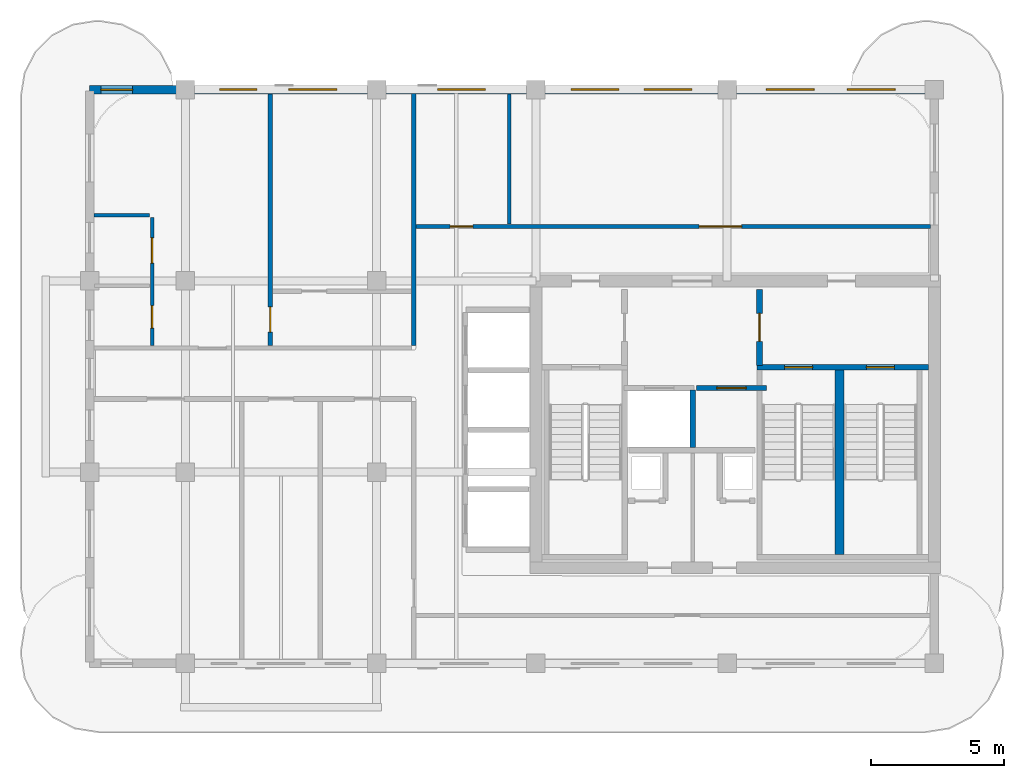
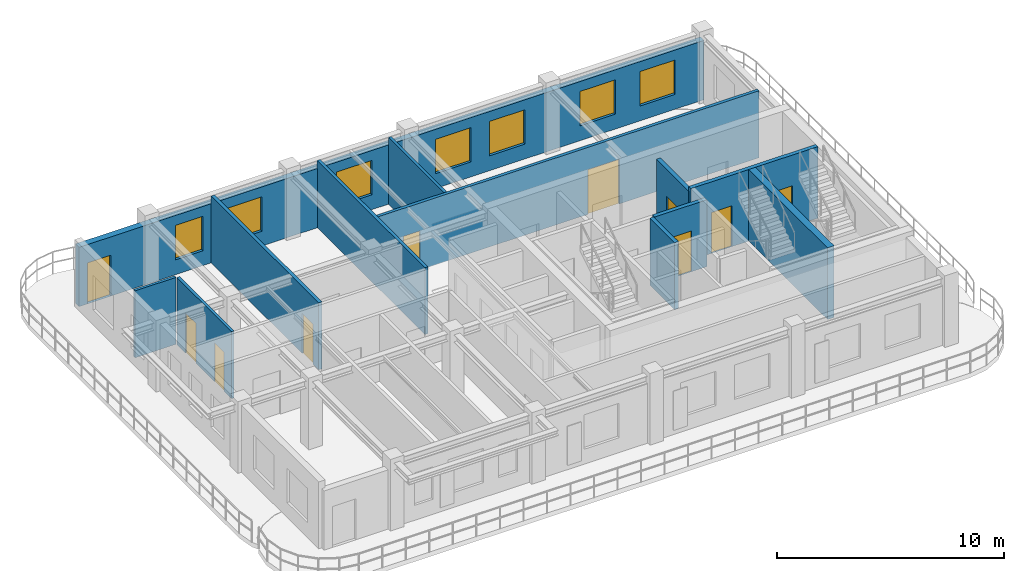
# One storey, part 4 of 7: 12 walls, 10 doors, 7 windows, 17 openings.
"""IFC4 building model written with IfcOpenShell, lengths in metres."""

from ifc_helpers import new_model, si_unit, derived_unit, direction, frame, frame_2d, origin, place, context, subcontext, project, spatial, rectangle, extrude, source, transform, mapped, material, layer, layer_set, type_object, type_shapes, element, fill, save


model = new_model("IFC4")

# Units and contexts
model_context = context("Model", 3, precision=1e-05, world=origin(), true_north=direction((0.0, 1.0)))
body_context = subcontext(model_context, "Body", "Model", "MODEL_VIEW")
ifc_project = project(units=[si_unit("LENGTHUNIT", "METRE"), si_unit("AREAUNIT", "SQUARE_METRE"), si_unit("VOLUMEUNIT", "CUBIC_METRE"), si_unit("PLANEANGLEUNIT", "RADIAN"), si_unit("MASSUNIT", "GRAM", prefix="KILO"), si_unit("THERMODYNAMICTEMPERATUREUNIT", "KELVIN"), si_unit("POWERUNIT", "WATT"), derived_unit("THERMALTRANSMITTANCEUNIT", [(si_unit("POWERUNIT", "WATT"), 1), (si_unit("AREAUNIT", "SQUARE_METRE"), -1), (si_unit("THERMODYNAMICTEMPERATUREUNIT", "KELVIN"), -1)])], contexts=[model_context])

# Site, building, storey
site_placement = place(None, origin())
site = spatial("IfcSite", under=ifc_project, at=site_placement, CompositionType="ELEMENT")
building_placement = place(site_placement, origin())
building = spatial("IfcBuilding", under=site, at=building_placement, Name="Zahravan Archway Hotel and Residences", CompositionType="ELEMENT")
storey_placement = place(building_placement, frame((0.0, 0.0, 278.89990234375)))
storey = spatial("IfcBuildingStorey", under=building, at=storey_placement, Name="L70", CompositionType="ELEMENT", Elevation=278.89990234375)

# Wall, openings, door, windows
ifc_material_1 = material(Name="Agra Buff Sandstone & Insulated Backup", Category="masonry")
ifc_layer_1 = layer(ifc_material_1, 0.320068359375, Name="Agra Buff Sandstone & Insulated Backup", Category="masonry")
ifc_layer_set_1 = layer_set([ifc_layer_1], Name="Agra Buff Sandstone & Insulated Backup")
wall_type_1 = type_object("IfcWallType", Name="EW-SAND-320", PredefinedType="SOLIDWALL", material=ifc_layer_set_1)
wall_1_placement = place(storey_placement, frame((18.0, 21.60009765625, 0.0), z_axis=(0.0, 0.0, 1.0), x_axis=(1.0, 0.0, 0.0)))
wall_1 = element("IfcWall", 1, at=wall_1_placement, inside=storey, type_object=wall_type_1, Name="L70 Exterior Sandstone Wall WA-N", PredefinedType="SOLIDWALL", context=body_context, shape_type="SweptSolid", body=[
    extrude(rectangle(XDim=31.800048828125, YDim=0.320068359375, at=frame_2d((15.89990234375, 0.0))), origin(), (0.0, 0.0, 1.0), 3.18505859375),
])
opening_1_placement = place(wall_1_placement, frame((0.419921875, 0.0, 0.0)))
opening_1 = element("IfcOpeningElement", 2, at=opening_1_placement, cuts=wall_1, Name="Opening ED-BL1", PredefinedType="OPENING", context=body_context, shape_type="SweptSolid", body=[
    extrude(rectangle(XDim=1.199951171875, YDim=2.199951171875, at=frame_2d((0.60009765625, 1.10009765625))), frame((0.0, 0.169921875, 0.0), z_axis=(0.0, -1.0, 0.0), x_axis=(1.0, 0.0, 0.0)), (0.0, 0.0, 1.0), 0.340087890625),
])
opening_2_placement = place(wall_1_placement, frame((4.89599609375, 0.0, 0.800048828125)))
opening_2 = element("IfcOpeningElement", 3, at=opening_2_placement, cuts=wall_1, Name="Opening W-03", PredefinedType="OPENING", context=body_context, shape_type="SweptSolid", body=[
    extrude(rectangle(XDim=1.39990234375, YDim=1.85009765625, at=frame_2d((0.699951171875, 0.925048828125))), frame((0.0, 0.169921875, 0.0), z_axis=(0.0, -1.0, 0.0), x_axis=(1.0, 0.0, 0.0)), (0.0, 0.0, 1.0), 0.340087890625),
])
opening_3_placement = place(wall_1_placement, frame((7.50390625, 0.0, 0.800048828125)))
opening_3 = element("IfcOpeningElement", 4, at=opening_3_placement, cuts=wall_1, Name="Opening W-02", PredefinedType="OPENING", context=body_context, shape_type="SweptSolid", body=[
    extrude(rectangle(XDim=1.800048828125, YDim=1.85009765625, at=frame_2d((0.89990234375, 0.925048828125))), frame((0.0, 0.169921875, 0.0), z_axis=(0.0, -1.0, 0.0), x_axis=(1.0, 0.0, 0.0)), (0.0, 0.0, 1.0), 0.340087890625),
])
opening_4_placement = place(wall_1_placement, frame((13.10107421875, 0.0, 0.800048828125)))
opening_4 = element("IfcOpeningElement", 5, at=opening_4_placement, cuts=wall_1, Name="Opening W-02", PredefinedType="OPENING", context=body_context, shape_type="SweptSolid", body=[
    extrude(rectangle(XDim=1.800048828125, YDim=1.85009765625, at=frame_2d((0.89990234375, 0.925048828125))), frame((0.0, 0.169921875, 0.0), z_axis=(0.0, -1.0, 0.0), x_axis=(1.0, 0.0, 0.0)), (0.0, 0.0, 1.0), 0.340087890625),
])
opening_5_placement = place(wall_1_placement, frame((18.125, 0.0, 0.800048828125)))
opening_5 = element("IfcOpeningElement", 6, at=opening_5_placement, cuts=wall_1, Name="Opening W-02", PredefinedType="OPENING", context=body_context, shape_type="SweptSolid", body=[
    extrude(rectangle(XDim=1.800048828125, YDim=1.85009765625, at=frame_2d((0.89990234375, 0.925048828125))), frame((0.0, 0.169921875, 0.0), z_axis=(0.0, -1.0, 0.0), x_axis=(1.0, 0.0, 0.0)), (0.0, 0.0, 1.0), 0.340087890625),
])
opening_6_placement = place(wall_1_placement, frame((20.875, 0.0, 0.800048828125)))
opening_6 = element("IfcOpeningElement", 7, at=opening_6_placement, cuts=wall_1, Name="Opening W-02", PredefinedType="OPENING", context=body_context, shape_type="SweptSolid", body=[
    extrude(rectangle(XDim=1.800048828125, YDim=1.85009765625, at=frame_2d((0.89990234375, 0.925048828125))), frame((0.0, 0.169921875, 0.0), z_axis=(0.0, -1.0, 0.0), x_axis=(1.0, 0.0, 0.0)), (0.0, 0.0, 1.0), 0.340087890625),
])
opening_7_placement = place(wall_1_placement, frame((25.47509765625, 0.0, 0.800048828125)))
opening_7 = element("IfcOpeningElement", 8, at=opening_7_placement, cuts=wall_1, Name="Opening W-02", PredefinedType="OPENING", context=body_context, shape_type="SweptSolid", body=[
    extrude(rectangle(XDim=1.800048828125, YDim=1.85009765625, at=frame_2d((0.89990234375, 0.925048828125))), frame((0.0, 0.169921875, 0.0), z_axis=(0.0, -1.0, 0.0), x_axis=(1.0, 0.0, 0.0)), (0.0, 0.0, 1.0), 0.340087890625),
])
opening_8_placement = place(wall_1_placement, frame((28.52490234375, 0.0, 0.800048828125)))
opening_8 = element("IfcOpeningElement", 9, at=opening_8_placement, cuts=wall_1, Name="Opening W-02", PredefinedType="OPENING", context=body_context, shape_type="SweptSolid", body=[
    extrude(rectangle(XDim=1.800048828125, YDim=1.85009765625, at=frame_2d((0.89990234375, 0.925048828125))), frame((0.0, 0.169921875, 0.0), z_axis=(0.0, -1.0, 0.0), x_axis=(1.0, 0.0, 0.0)), (0.0, 0.0, 1.0), 0.340087890625),
])
ifc_material_2 = material(Name="Bronze-Anodized Glazed Aluminium", Category="aluminium")
door_type_1 = type_object("IfcDoorType", Name="ED-BALC-1200", OperationType="SLIDING_TO_LEFT", PredefinedType="DOOR", material=ifc_material_2)
shared_shape_1 = source(origin(), body_context, "Body", "SweptSolid", [
    extrude(rectangle(XDim=1.199951171875, YDim=2.199951171875, at=frame_2d((0.60009765625, 1.10009765625))), frame((0.0, 0.02490234375, 0.0), z_axis=(0.0, -1.0, 0.0), x_axis=(1.0, 0.0, 0.0)), (0.0, 0.0, 1.0), 0.050048828125),
])
type_shapes(door_type_1, [shared_shape_1])
door_1_placement = place(opening_1_placement, origin())
door_1 = element("IfcDoor", 10, at=door_1_placement, inside=storey, type_object=door_type_1, Name="L70 Outdoor Access Sliding Door (SLB-BAL-L70-WA)", OperationType="SLIDING_TO_LEFT", OverallHeight=2.199951171875, OverallWidth=1.199951171875, PredefinedType="DOOR", context=body_context, shape_type="MappedRepresentation", body=[
    mapped(shared_shape_1, transform((0.0, 0.0, 0.0), scale=1.0)),
])
fill(opening_1, door_1)
ifc_material_3 = material(Name="Bronze-Anodized Thermal-Break Aluminium & Low-E Glass", Category="aluminium")
window_type_1 = type_object("IfcWindowType", Name="WIN-TWR-1400", PartitioningType="SINGLE_PANEL", PredefinedType="WINDOW", material=ifc_material_3)
shared_shape_2 = source(origin(), body_context, "Body", "SweptSolid", [
    extrude(rectangle(XDim=1.39990234375, YDim=1.85009765625, at=frame_2d((0.699951171875, 0.925048828125))), frame((0.0, 0.030029296875, 0.0), z_axis=(0.0, -1.0, 0.0), x_axis=(1.0, 0.0, 0.0)), (0.0, 0.0, 1.0), 0.06005859375),
])
type_shapes(window_type_1, [shared_shape_2])
window_1_placement = place(opening_2_placement, origin())
window_1 = element("IfcWindow", 11, at=window_1_placement, inside=storey, type_object=window_type_1, Name="L70 Loggia Window 10", OverallHeight=1.85009765625, OverallWidth=1.39990234375, PartitioningType="SINGLE_PANEL", PredefinedType="WINDOW", context=body_context, shape_type="MappedRepresentation", body=[
    mapped(shared_shape_2, transform((0.0, 0.0, 0.0), scale=1.0)),
])
fill(opening_2, window_1)
window_type_2 = type_object("IfcWindowType", Name="WIN-TWR-1800", PartitioningType="DOUBLE_PANEL_VERTICAL", PredefinedType="WINDOW", material=ifc_material_3)
shared_shape_3 = source(origin(), body_context, "Body", "SweptSolid", [
    extrude(rectangle(XDim=1.800048828125, YDim=1.85009765625, at=frame_2d((0.89990234375, 0.925048828125))), frame((0.0, 0.030029296875, 0.0), z_axis=(0.0, -1.0, 0.0), x_axis=(1.0, 0.0, 0.0)), (0.0, 0.0, 1.0), 0.06005859375),
])
type_shapes(window_type_2, [shared_shape_3])
window_2_placement = place(opening_3_placement, origin())
window_2 = element("IfcWindow", 12, at=window_2_placement, inside=storey, type_object=window_type_2, Name="L70 Loggia Window 11", OverallHeight=1.85009765625, OverallWidth=1.800048828125, PartitioningType="DOUBLE_PANEL_VERTICAL", PredefinedType="WINDOW", context=body_context, shape_type="MappedRepresentation", body=[
    mapped(shared_shape_3, transform((0.0, 0.0, 0.0), scale=1.0)),
])
fill(opening_3, window_2)
window_3_placement = place(opening_4_placement, origin())
window_3 = element("IfcWindow", 13, at=window_3_placement, inside=storey, type_object=window_type_2, Name="L70 Loggia Window 12", OverallHeight=1.85009765625, OverallWidth=1.800048828125, PartitioningType="DOUBLE_PANEL_VERTICAL", PredefinedType="WINDOW", context=body_context, shape_type="MappedRepresentation", body=[
    mapped(shared_shape_3, transform((0.0, 0.0, 0.0), scale=1.0)),
])
fill(opening_4, window_3)
window_4_placement = place(opening_5_placement, origin())
window_4 = element("IfcWindow", 14, at=window_4_placement, inside=storey, type_object=window_type_2, Name="L70 Loggia Window 13", OverallHeight=1.85009765625, OverallWidth=1.800048828125, PartitioningType="DOUBLE_PANEL_VERTICAL", PredefinedType="WINDOW", context=body_context, shape_type="MappedRepresentation", body=[
    mapped(shared_shape_3, transform((0.0, 0.0, 0.0), scale=1.0)),
])
fill(opening_5, window_4)
window_5_placement = place(opening_6_placement, origin())
window_5 = element("IfcWindow", 15, at=window_5_placement, inside=storey, type_object=window_type_2, Name="L70 Loggia Window 14", OverallHeight=1.85009765625, OverallWidth=1.800048828125, PartitioningType="DOUBLE_PANEL_VERTICAL", PredefinedType="WINDOW", context=body_context, shape_type="MappedRepresentation", body=[
    mapped(shared_shape_3, transform((0.0, 0.0, 0.0), scale=1.0)),
])
fill(opening_6, window_5)
window_6_placement = place(opening_7_placement, origin())
window_6 = element("IfcWindow", 16, at=window_6_placement, inside=storey, type_object=window_type_2, Name="L70 Loggia Window 15", OverallHeight=1.85009765625, OverallWidth=1.800048828125, PartitioningType="DOUBLE_PANEL_VERTICAL", PredefinedType="WINDOW", context=body_context, shape_type="MappedRepresentation", body=[
    mapped(shared_shape_3, transform((0.0, 0.0, 0.0), scale=1.0)),
])
fill(opening_7, window_6)
window_7_placement = place(opening_8_placement, origin())
window_7 = element("IfcWindow", 17, at=window_7_placement, inside=storey, type_object=window_type_2, Name="L70 Loggia Window 16", OverallHeight=1.85009765625, OverallWidth=1.800048828125, PartitioningType="DOUBLE_PANEL_VERTICAL", PredefinedType="WINDOW", context=body_context, shape_type="MappedRepresentation", body=[
    mapped(shared_shape_3, transform((0.0, 0.0, 0.0), scale=1.0)),
])
fill(opening_8, window_7)

# Wall, opening, door
ifc_material_4 = material(Name="Fire-Rated Gypsum & Concrete Block", Category="concrete")
ifc_layer_2 = layer(ifc_material_4, 0.219970703125, Name="Fire-Rated Gypsum & Concrete Block", Category="concrete")
ifc_layer_set_2 = layer_set([ifc_layer_2], Name="Fire-Rated Gypsum & Concrete Block")
wall_type_2 = type_object("IfcWallType", Name="PW-COMP-220", PredefinedType="PARTITIONING", material=ifc_layer_set_2)
wall_2_placement = place(storey_placement, frame((43.219970703125, 11.219970703125, 0.0), z_axis=(0.0, 0.0, 1.0), x_axis=(0.0, 1.0, 0.0)))
wall_2 = element("IfcWall", 18, at=wall_2_placement, inside=storey, type_object=wall_type_2, Name="L70 Partition CA-LOBE", PredefinedType="PARTITIONING", context=body_context, shape_type="SweptSolid", body=[
    extrude(rectangle(XDim=2.860107421875, YDim=0.219970703125, at=frame_2d((1.43017578125, 0.0))), origin(), (0.0, 0.0, 1.0), 3.60009765625),
])
opening_9_placement = place(wall_2_placement, frame((0.905029296875, 0.0, 0.0)))
opening_9 = element("IfcOpeningElement", 19, at=opening_9_placement, cuts=wall_2, Name="Opening FD-L2", PredefinedType="OPENING", context=body_context, shape_type="SweptSolid", body=[
    extrude(rectangle(XDim=1.050048828125, YDim=2.14990234375, at=frame_2d((0.52490234375, 1.074951171875))), frame((0.0, 0.1201171875, 0.0), z_axis=(0.0, -1.0, 0.0), x_axis=(1.0, 0.0, 0.0)), (0.0, 0.0, 1.0), 0.239990234375),
])
ifc_material_5 = material(Name="Fire-Rated Painted Steel", Category="steel")
door_type_2 = type_object("IfcDoorType", Name="FD-LOBBY-1100", OperationType="NOTDEFINED", PredefinedType="DOOR", material=ifc_material_5)
shared_shape_4 = source(origin(), body_context, "Body", "SweptSolid", [
    extrude(rectangle(XDim=1.050048828125, YDim=2.14990234375, at=frame_2d((0.52490234375, 1.074951171875))), frame((0.0, 0.02490234375, 0.0), z_axis=(0.0, -1.0, 0.0), x_axis=(1.0, 0.0, 0.0)), (0.0, 0.0, 1.0), 0.050048828125),
])
type_shapes(door_type_2, [shared_shape_4])
door_2_placement = place(opening_9_placement, origin())
door_2 = element("IfcDoor", 20, at=door_2_placement, inside=storey, type_object=door_type_2, Name="L70 Core A East Stair to FSAE Lobby Door", OperationType="SINGLE_SWING_LEFT", OverallHeight=2.14990234375, OverallWidth=1.050048828125, PredefinedType="DOOR", context=body_context, shape_type="MappedRepresentation", body=[
    mapped(shared_shape_4, transform((0.0, 0.0, 0.0), scale=1.0)),
])
fill(opening_9, door_2)

# Wall
ifc_layer_3 = layer(ifc_material_4, 0.159912109375, Name="Fire-Rated Gypsum & Concrete Block", Category="concrete")
ifc_layer_set_3 = layer_set([ifc_layer_3], Name="Fire-Rated Gypsum & Concrete Block")
wall_type_3 = type_object("IfcWallType", Name="PW-CORR-160", PredefinedType="PARTITIONING", material=ifc_layer_set_3)
wall_3_placement = place(storey_placement, frame((30.199951171875, 11.9599609375, 0.0), z_axis=(0.0, 0.0, 1.0), x_axis=(0.0, 1.0, 0.0)))
element("IfcWall", 21, at=wall_3_placement, inside=storey, type_object=wall_type_3, Name="L70 Partition WA-FW", PredefinedType="PARTITIONING", context=body_context, shape_type="SweptSolid", body=[
    extrude(rectangle(XDim=9.5, YDim=0.159912109375, at=frame_2d((4.75, 0.0))), origin(), (0.0, 0.0, 1.0), 3.60009765625),
])

# Wall, openings, doors
wall_4_placement = place(storey_placement, frame((30.2900390625, 16.449951171875, 0.0), z_axis=(0.0, 0.0, 1.0), x_axis=(1.0, 0.0, 0.0)))
wall_4 = element("IfcWall", 22, at=wall_4_placement, inside=storey, type_object=wall_type_3, Name="L70 Partition WA-FN", PredefinedType="PARTITIONING", context=body_context, shape_type="SweptSolid", body=[
    extrude(rectangle(XDim=19.369873046875, YDim=0.159912109375, at=frame_2d((9.68505859375, 0.0))), origin(), (0.0, 0.0, 1.0), 3.60009765625),
])
opening_10_placement = place(wall_4_placement, frame((1.284912109375, 0.0, 0.0)))
opening_10 = element("IfcOpeningElement", 23, at=opening_10_placement, cuts=wall_4, Name="Opening D-B1", PredefinedType="OPENING", context=body_context, shape_type="SweptSolid", body=[
    extrude(rectangle(XDim=0.85009765625, YDim=2.10009765625, at=frame_2d((0.425048828125, 1.050048828125))), frame((0.0, 0.08984375, 0.0), z_axis=(0.0, -1.0, 0.0), x_axis=(1.0, 0.0, 0.0)), (0.0, 0.0, 1.0), 0.179931640625),
])
opening_11_placement = place(wall_4_placement, frame((10.659912109375, 0.0, 0.0)))
opening_11 = element("IfcOpeningElement", 24, at=opening_11_placement, cuts=wall_4, Name="Opening D-P2", PredefinedType="OPENING", context=body_context, shape_type="SweptSolid", body=[
    extrude(rectangle(XDim=1.60009765625, YDim=2.39990234375, at=frame_2d((0.800048828125, 1.199951171875))), frame((0.0, 0.08984375, 0.0), z_axis=(0.0, -1.0, 0.0), x_axis=(1.0, 0.0, 0.0)), (0.0, 0.0, 1.0), 0.179931640625),
])
door_type_3 = type_object("IfcDoorType", Name="ID-PUBLIC-1600", OperationType="DOUBLE_DOOR_SINGLE_SWING", PredefinedType="DOOR", material=ifc_material_2)
shared_shape_5 = source(origin(), body_context, "Body", "SweptSolid", [
    extrude(rectangle(XDim=1.60009765625, YDim=2.39990234375, at=frame_2d((0.800048828125, 1.199951171875))), frame((0.0, 0.02490234375, 0.0), z_axis=(0.0, -1.0, 0.0), x_axis=(1.0, 0.0, 0.0)), (0.0, 0.0, 1.0), 0.050048828125),
])
type_shapes(door_type_3, [shared_shape_5])
door_3_placement = place(opening_11_placement, origin())
door_3 = element("IfcDoor", 25, at=door_3_placement, inside=storey, type_object=door_type_3, Name="L70 North Fitness Gym Door", OperationType="DOUBLE_DOOR_SINGLE_SWING", OverallHeight=2.39990234375, OverallWidth=1.60009765625, PredefinedType="DOOR", context=body_context, shape_type="MappedRepresentation", body=[
    mapped(shared_shape_5, transform((0.0, 0.0, 0.0), scale=1.0)),
])
fill(opening_11, door_3)
ifc_material_6 = material(Name="Hardwood Veneer Timber", Category="wood")
door_type_4 = type_object("IfcDoorType", Name="ID-BATH-850", OperationType="NOTDEFINED", PredefinedType="DOOR", material=ifc_material_6)
shared_shape_6 = source(origin(), body_context, "Body", "SweptSolid", [
    extrude(rectangle(XDim=0.85009765625, YDim=2.10009765625, at=frame_2d((0.425048828125, 1.050048828125))), frame((0.0, 0.02490234375, 0.0), z_axis=(0.0, -1.0, 0.0), x_axis=(1.0, 0.0, 0.0)), (0.0, 0.0, 1.0), 0.050048828125),
])
type_shapes(door_type_4, [shared_shape_6])
door_4_placement = place(opening_10_placement, origin())
door_4 = element("IfcDoor", 26, at=door_4_placement, inside=storey, type_object=door_type_4, Name="L70 Accessible Restroom Door", OperationType="SINGLE_SWING_RIGHT", OverallHeight=2.10009765625, OverallWidth=0.85009765625, PredefinedType="DOOR", context=body_context, shape_type="MappedRepresentation", body=[
    mapped(shared_shape_6, transform((0.0, 0.0, 0.0), scale=1.0)),
])
fill(opening_10, door_4)

# Wall
ifc_layer_4 = layer(ifc_material_4, 0.199951171875, Name="Fire-Rated Gypsum & Concrete Block", Category="concrete")
ifc_layer_set_4 = layer_set([ifc_layer_4], Name="Fire-Rated Gypsum & Concrete Block")
wall_type_4 = type_object("IfcWallType", Name="PW-SHAFT-200", PredefinedType="PARTITIONING", material=ifc_layer_set_4)
wall_5_placement = place(storey_placement, frame((40.699951171875, 8.1201171875, 0.0), z_axis=(0.0, 0.0, 1.0), x_axis=(0.0, 1.0, 0.0)))
element("IfcWall", 27, at=wall_5_placement, inside=storey, type_object=wall_type_4, Name="L70 Partition CA-FLM", PredefinedType="PARTITIONING", context=body_context, shape_type="SweptSolid", body=[
    extrude(rectangle(XDim=2.179931640625, YDim=0.199951171875, at=frame_2d((1.08984375, 0.0))), origin(), (0.0, 0.0, 1.0), 3.60009765625),
])

# Wall, opening, door
wall_6_placement = place(storey_placement, frame((40.840087890625, 10.3701171875, 0.0), z_axis=(0.0, 0.0, 1.0), x_axis=(1.0, 0.0, 0.0)))
wall_6 = element("IfcWall", 28, at=wall_6_placement, inside=storey, type_object=wall_type_4, Name="L70 Lift FL-2 Front Wall", PredefinedType="PARTITIONING", context=body_context, shape_type="SweptSolid", body=[
    extrude(rectangle(XDim=2.639892578125, YDim=0.199951171875, at=frame_2d((1.31982421875, 0.0))), origin(), (0.0, 0.0, 1.0), 3.60009765625),
])
opening_12_placement = place(wall_6_placement, frame((0.77001953125, 0.0, 0.0)))
opening_12 = element("IfcOpeningElement", 29, at=opening_12_placement, cuts=wall_6, Name="Opening LD", PredefinedType="OPENING", context=body_context, shape_type="SweptSolid", body=[
    extrude(rectangle(XDim=1.10009765625, YDim=2.199951171875, at=frame_2d((0.550048828125, 1.10009765625))), frame((0.0, 0.10986328125, 0.0), z_axis=(0.0, -1.0, 0.0), x_axis=(1.0, 0.0, 0.0)), (0.0, 0.0, 1.0), 0.219970703125),
])
ifc_material_7 = material(Name="Brushed Stainless Steel", Category="steel")
door_type_5 = type_object("IfcDoorType", Name="DR-LIFT-LD", OperationType="SLIDING_TO_LEFT", PredefinedType="DOOR", material=ifc_material_7)
shared_shape_7 = source(origin(), body_context, "Body", "SweptSolid", [
    extrude(rectangle(XDim=1.10009765625, YDim=2.199951171875, at=frame_2d((0.550048828125, 1.10009765625))), frame((0.0, 0.02490234375, 0.0), z_axis=(0.0, -1.0, 0.0), x_axis=(1.0, 0.0, 0.0)), (0.0, 0.0, 1.0), 0.050048828125),
])
type_shapes(door_type_5, [shared_shape_7])
door_5_placement = place(opening_12_placement, origin())
door_5 = element("IfcDoor", 30, at=door_5_placement, inside=storey, type_object=door_type_5, Name="L70 Lift FL-2 Sliding Landing Door", OperationType="SLIDING_TO_LEFT", OverallHeight=2.199951171875, OverallWidth=1.10009765625, PredefinedType="DOOR", context=body_context, shape_type="MappedRepresentation", body=[
    mapped(shared_shape_7, transform((0.0, 0.0, 0.0), scale=1.0)),
])
fill(opening_12, door_5)

ifc_material_8 = material(Name="Acoustic Stud Partition")
ifc_layer_5 = layer(ifc_material_8, 0.169921875, Name="Acoustic Stud Partition")
ifc_layer_set_5 = layer_set([ifc_layer_5], Name="Acoustic Stud Partition")
wall_type_5 = type_object("IfcWallType", Name="PW-UNIT-170", PredefinedType="PARTITIONING", material=ifc_layer_set_5)
wall_7_placement = place(storey_placement, frame((24.800048828125, 11.9599609375, 0.0), z_axis=(0.0, 0.0, 1.0), x_axis=(0.0, 1.0, 0.0)))
wall_7 = element("IfcWall", 31, at=wall_7_placement, inside=storey, type_object=wall_type_5, Name="L70 Partition FL-N1-SP", PredefinedType="PARTITIONING", context=body_context, shape_type="SweptSolid", body=[
    extrude(rectangle(XDim=9.471923828125, YDim=0.169921875, at=frame_2d((4.73583984375, 0.0))), origin(), (0.0, 0.0, 1.0), 3.60009765625),
])
opening_13_placement = place(wall_7_placement, frame((0.510009765625, 0.0, 0.0)))
opening_13 = element("IfcOpeningElement", 32, at=opening_13_placement, cuts=wall_7, Name="Opening D-I1", PredefinedType="OPENING", context=body_context, shape_type="SweptSolid", body=[
    extrude(rectangle(XDim=0.949951171875, YDim=2.14990234375, at=frame_2d((0.47509765625, 1.074951171875))), frame((0.0, 0.094970703125, 0.0), z_axis=(0.0, -1.0, 0.0), x_axis=(1.0, 0.0, 0.0)), (0.0, 0.0, 1.0), 0.18994140625),
])
door_type_6 = type_object("IfcDoorType", Name="ID-INT-950", OperationType="NOTDEFINED", PredefinedType="DOOR", material=ifc_material_6)
shared_shape_8 = source(origin(), body_context, "Body", "SweptSolid", [
    extrude(rectangle(XDim=0.949951171875, YDim=2.14990234375, at=frame_2d((0.47509765625, 1.074951171875))), frame((0.0, 0.02490234375, 0.0), z_axis=(0.0, -1.0, 0.0), x_axis=(1.0, 0.0, 0.0)), (0.0, 0.0, 1.0), 0.050048828125),
])
type_shapes(door_type_6, [shared_shape_8])
door_6_placement = place(opening_13_placement, origin())
door_6 = element("IfcDoor", 33, at=door_6_placement, inside=storey, type_object=door_type_6, Name="L70 Flat N1 Bedroom Hall Door", OperationType="SINGLE_SWING_RIGHT", OverallHeight=2.14990234375, OverallWidth=0.949951171875, PredefinedType="DOOR", context=body_context, shape_type="MappedRepresentation", body=[
    mapped(shared_shape_8, transform((0.0, 0.0, 0.0), scale=1.0)),
])
fill(opening_13, door_6)

# Wall
ifc_material_9 = material(Name="Moisture-Resistant Blockwork", Category="masonry")
ifc_layer_6 = layer(ifc_material_9, 0.139892578125, Name="Moisture-Resistant Blockwork", Category="masonry")
ifc_layer_set_6 = layer_set([ifc_layer_6], Name="Moisture-Resistant Blockwork")
wall_type_6 = type_object("IfcWallType", Name="PW-WET-140", PredefinedType="PARTITIONING", material=ifc_layer_set_6)
wall_8_placement = place(storey_placement, frame((33.800048828125, 16.5400390625, 0.0), z_axis=(0.0, 0.0, 1.0), x_axis=(0.0, 1.0, 0.0)))
element("IfcWall", 34, at=wall_8_placement, inside=storey, type_object=wall_type_6, Name="L70 Partition NE1-1", PredefinedType="PARTITIONING", context=body_context, shape_type="SweptSolid", body=[
    extrude(rectangle(XDim=4.891845703125, YDim=0.139892578125, at=frame_2d((2.44580078125, 0.0))), origin(), (0.0, 0.0, 1.0), 3.60009765625),
])

# Wall, openings, doors
wall_9_placement = place(storey_placement, frame((20.35009765625, 11.9599609375, 0.0), z_axis=(0.0, 0.0, 1.0), x_axis=(0.0, 1.0, 0.0)))
wall_9 = element("IfcWall", 35, at=wall_9_placement, inside=storey, type_object=wall_type_6, Name="L70 Partition FL-N1-BV", PredefinedType="PARTITIONING", context=body_context, shape_type="SweptSolid", body=[
    extrude(rectangle(XDim=4.820068359375, YDim=0.139892578125, at=frame_2d((2.41015625, 0.0))), origin(), (0.0, 0.0, 1.0), 3.60009765625),
])
opening_14_placement = place(wall_9_placement, frame((0.659912109375, 0.0, 0.0)))
opening_14 = element("IfcOpeningElement", 36, at=opening_14_placement, cuts=wall_9, Name="Opening D-B1", PredefinedType="OPENING", context=body_context, shape_type="SweptSolid", body=[
    extrude(rectangle(XDim=0.85009765625, YDim=2.10009765625, at=frame_2d((0.425048828125, 1.050048828125))), frame((0.0, 0.080078125, 0.0), z_axis=(0.0, -1.0, 0.0), x_axis=(1.0, 0.0, 0.0)), (0.0, 0.0, 1.0), 0.159912109375),
])
opening_15_placement = place(wall_9_placement, frame((3.110107421875, 0.0, 0.0)))
opening_15 = element("IfcOpeningElement", 37, at=opening_15_placement, cuts=wall_9, Name="Opening D-I1", PredefinedType="OPENING", context=body_context, shape_type="SweptSolid", body=[
    extrude(rectangle(XDim=0.949951171875, YDim=2.14990234375, at=frame_2d((0.47509765625, 1.074951171875))), frame((0.0, 0.080078125, 0.0), z_axis=(0.0, -1.0, 0.0), x_axis=(1.0, 0.0, 0.0)), (0.0, 0.0, 1.0), 0.159912109375),
])
door_7_placement = place(opening_14_placement, origin())
door_7 = element("IfcDoor", 38, at=door_7_placement, inside=storey, type_object=door_type_4, Name="L70 Flat N1 Bathroom Door", OperationType="SINGLE_SWING_LEFT", OverallHeight=2.10009765625, OverallWidth=0.85009765625, PredefinedType="DOOR", context=body_context, shape_type="MappedRepresentation", body=[
    mapped(shared_shape_6, transform((0.0, 0.0, 0.0), scale=1.0)),
])
fill(opening_14, door_7)
door_8_placement = place(opening_15_placement, origin())
door_8 = element("IfcDoor", 39, at=door_8_placement, inside=storey, type_object=door_type_6, Name="L70 Flat N1 Kitchen Door", OperationType="SINGLE_SWING_RIGHT", OverallHeight=2.14990234375, OverallWidth=0.949951171875, PredefinedType="DOOR", context=body_context, shape_type="MappedRepresentation", body=[
    mapped(shared_shape_8, transform((0.0, 0.0, 0.0), scale=1.0)),
])
fill(opening_15, door_8)

# Wall
wall_10_placement = place(storey_placement, frame((18.16796875, 16.8701171875, 0.0), z_axis=(0.0, 0.0, 1.0), x_axis=(1.0, 0.0, 0.0)))
element("IfcWall", 40, at=wall_10_placement, inside=storey, type_object=wall_type_6, Name="L70 Partition FL-N1-KH", PredefinedType="PARTITIONING", context=body_context, shape_type="SweptSolid", body=[
    extrude(rectangle(XDim=2.092041015625, YDim=0.139892578125, at=frame_2d((1.0458984375, 0.0))), origin(), (0.0, 0.0, 1.0), 3.60009765625),
])

# Wall, openings, doors
ifc_material_10 = material(Name="Concrete C50/60", Category="concrete")
ifc_layer_7 = layer(ifc_material_10, 0.199951171875, Name="Concrete C50/60", Category="concrete")
ifc_layer_set_7 = layer_set([ifc_layer_7], Name="Concrete C50/60")
wall_type_7 = type_object("IfcWallType", Name="SW-STAIR-200", PredefinedType="SHEAR", material=ifc_layer_set_7)
wall_11_placement = place(storey_placement, frame((43.1201171875, 11.14990234375, 0.0), z_axis=(0.0, 0.0, 1.0), x_axis=(1.0, 0.0, 0.0)))
wall_11 = element("IfcWall", 41, at=wall_11_placement, inside=storey, type_object=wall_type_7, Name="L70 Stairwell RC Wall CA-SA23N", PredefinedType="SHEAR", context=body_context, shape_type="SweptSolid", body=[
    extrude(rectangle(XDim=6.454833984375, YDim=0.199951171875, at=frame_2d((3.2275390625, 0.0))), origin(), (0.0, 0.0, 1.0), 3.85009765625),
])
opening_16_placement = place(wall_11_placement, frame((1.044921875, 0.0, 0.0)))
opening_16 = element("IfcOpeningElement", 42, at=opening_16_placement, cuts=wall_11, Name="Opening FD-S1", PredefinedType="OPENING", context=body_context, shape_type="SweptSolid", body=[
    extrude(rectangle(XDim=1.050048828125, YDim=2.199951171875, at=frame_2d((0.52490234375, 1.10009765625))), frame((0.0, 0.10986328125, 0.0), z_axis=(0.0, -1.0, 0.0), x_axis=(1.0, 0.0, 0.0)), (0.0, 0.0, 1.0), 0.219970703125),
])
opening_17_placement = place(wall_11_placement, frame((4.125, 0.0, 0.0)))
opening_17 = element("IfcOpeningElement", 43, at=opening_17_placement, cuts=wall_11, Name="Opening FD-S1", PredefinedType="OPENING", context=body_context, shape_type="SweptSolid", body=[
    extrude(rectangle(XDim=1.050048828125, YDim=2.199951171875, at=frame_2d((0.52490234375, 1.10009765625))), frame((0.0, 0.10986328125, 0.0), z_axis=(0.0, -1.0, 0.0), x_axis=(1.0, 0.0, 0.0)), (0.0, 0.0, 1.0), 0.219970703125),
])
door_type_7 = type_object("IfcDoorType", Name="FD-STAIR-1100", OperationType="NOTDEFINED", PredefinedType="DOOR", material=ifc_material_5)
shared_shape_9 = source(origin(), body_context, "Body", "SweptSolid", [
    extrude(rectangle(XDim=1.050048828125, YDim=2.199951171875, at=frame_2d((0.52490234375, 1.10009765625))), frame((0.0, 0.02490234375, 0.0), z_axis=(0.0, -1.0, 0.0), x_axis=(1.0, 0.0, 0.0)), (0.0, 0.0, 1.0), 0.050048828125),
])
type_shapes(door_type_7, [shared_shape_9])
door_9_placement = place(opening_16_placement, origin())
door_9 = element("IfcDoor", 44, at=door_9_placement, inside=storey, type_object=door_type_7, Name="L70 Stair ST-A2 Door", OperationType="SINGLE_SWING_RIGHT", OverallHeight=2.199951171875, OverallWidth=1.050048828125, PredefinedType="DOOR", context=body_context, shape_type="MappedRepresentation", body=[
    mapped(shared_shape_9, transform((0.0, 0.0, 0.0), scale=1.0)),
])
fill(opening_16, door_9)
door_10_placement = place(opening_17_placement, origin())
door_10 = element("IfcDoor", 45, at=door_10_placement, inside=storey, type_object=door_type_7, Name="L70 Stair ST-A3 Door", OperationType="SINGLE_SWING_LEFT", OverallHeight=2.199951171875, OverallWidth=1.050048828125, PredefinedType="DOOR", context=body_context, shape_type="MappedRepresentation", body=[
    mapped(shared_shape_9, transform((0.0, 0.0, 0.0), scale=1.0)),
])
fill(opening_17, door_10)

# Wall
ifc_layer_8 = layer(ifc_material_10, 0.340087890625, Name="Concrete C50/60", Category="concrete")
ifc_layer_set_8 = layer_set([ifc_layer_8], Name="Concrete C50/60")
wall_type_8 = type_object("IfcWallType", Name="SW-STAIR-340", PredefinedType="SHEAR", material=ifc_layer_set_8)
wall_12_placement = place(storey_placement, frame((46.22998046875, 4.10009765625, 0.0), z_axis=(0.0, 0.0, 1.0), x_axis=(0.0, 1.0, 0.0)))
element("IfcWall", 46, at=wall_12_placement, inside=storey, type_object=wall_type_8, Name="L70 Stairwell RC Wall CA-SA23M", PredefinedType="SHEAR", context=body_context, shape_type="SweptSolid", body=[
    extrude(rectangle(XDim=6.949951171875, YDim=0.340087890625, at=frame_2d((3.47509765625, 0.0))), origin(), (0.0, 0.0, 1.0), 3.85009765625),
])

save(model, "model.ifc")
